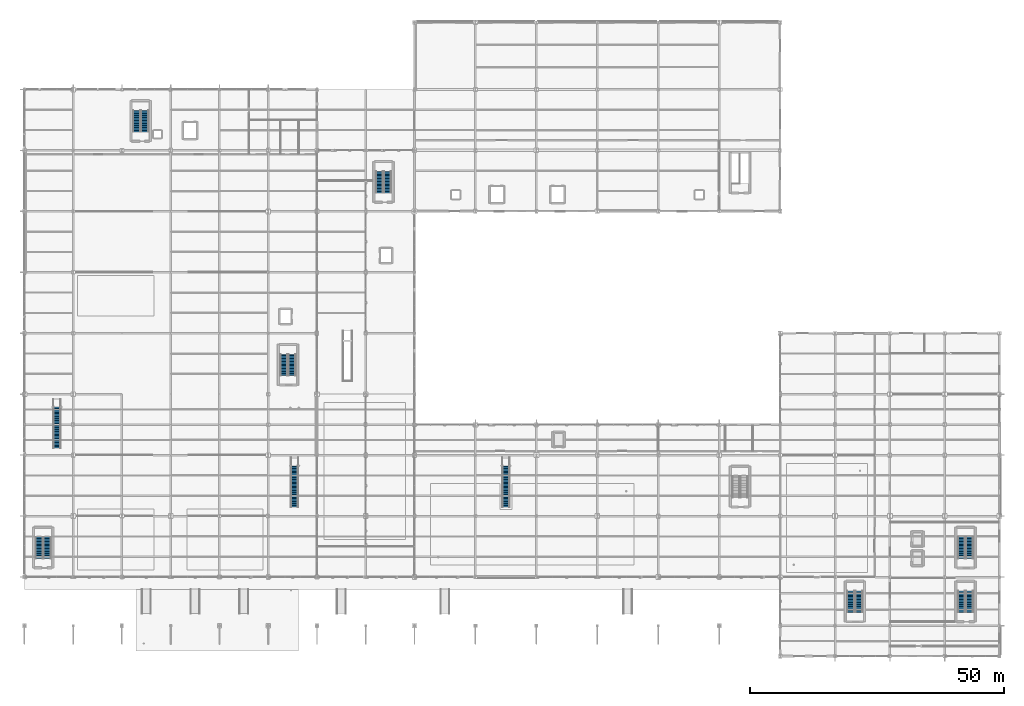
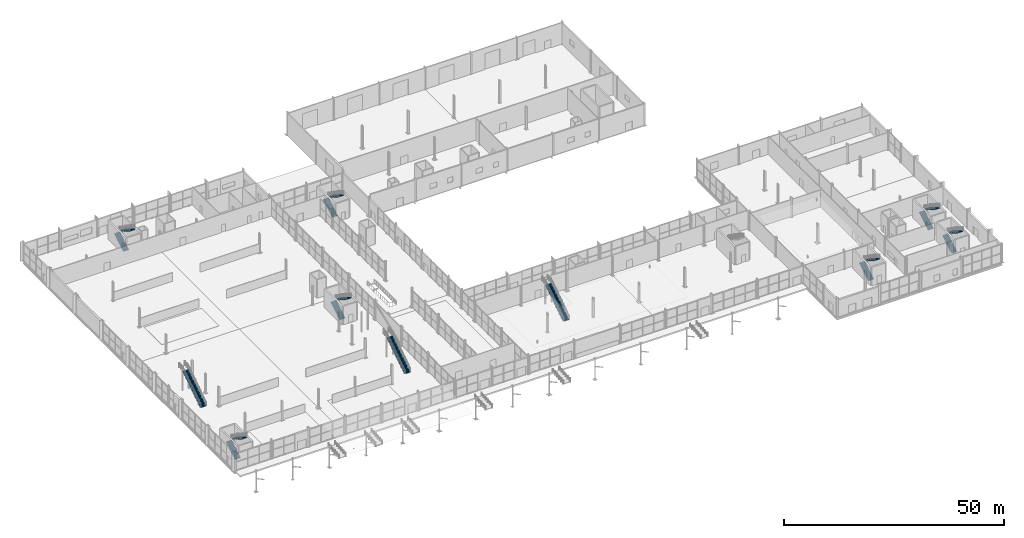
# One storey, part 178 of 196: 17 stair flights, 10 elements without a shape of their own.
"""IFC4 building model written with IfcOpenShell, lengths in metres."""

from ifc_helpers import new_model, si_unit, direction, frame, origin, place, context, subcontext, project, spatial, polyline, outline, extrude, material, type_object, element, aggregate, save


model = new_model("IFC4")

# Units and contexts
model_context = context("Model", 3, precision=1e-05, world=origin(), true_north=direction((0.0, 1.0)))
body_context = subcontext(model_context, "Body", "Model", "MODEL_VIEW")
ifc_project = project(units=[si_unit("LENGTHUNIT", "METRE"), si_unit("AREAUNIT", "SQUARE_METRE"), si_unit("VOLUMEUNIT", "CUBIC_METRE"), si_unit("PLANEANGLEUNIT", "RADIAN"), si_unit("MASSUNIT", "GRAM", prefix="KILO")], contexts=[model_context])

# Site, building, storey
site_placement = place(None, origin())
site = spatial("IfcSite", under=ifc_project, at=site_placement, CompositionType="ELEMENT")
building_placement = place(site_placement, origin())
building = spatial("IfcBuilding", under=site, at=building_placement, Name="Merenkruunu Market Hall", CompositionType="ELEMENT")
storey_placement = place(building_placement, origin())
storey = spatial("IfcBuildingStorey", under=building, at=storey_placement, Name="L00", CompositionType="ELEMENT", Elevation=0.0)

# Stair, stair flights
ifc_material_1 = material(Name="Concrete C35/45", Category="concrete")
stair_type_1 = type_object("IfcStairType", Name="Two Flight Half Turn Stair ST02", PredefinedType="TWO_STRAIGHT_RUN_STAIR", material=ifc_material_1)
stair_1_placement = place(storey_placement, origin())
stair_1 = element("IfcStair", 1, at=stair_1_placement, inside=storey, type_object=stair_type_1, Name="Protected Stair ST02 (K1 L00-L01)", PredefinedType="TWO_STRAIGHT_RUN_STAIR")
stair_flight_type_1 = type_object("IfcStairFlightType", Name="Straight Stair Flight SFL02", PredefinedType="STRAIGHT", material=ifc_material_1)
stair_flight_1_placement = place(storey_placement, frame((22.10498046875, 103.25, 0.0), z_axis=(0.0, 0.0, 1.0), x_axis=(0.0, 1.0, 0.0)))
stair_flight_1 = element("IfcStairFlight", 2, at=stair_flight_1_placement, type_object=stair_flight_type_1, Name="ST02 flight 1", NumberOfRisers=16, NumberOfTreads=15, PredefinedType="STRAIGHT", RiserHeight=0.16875, TreadLength=0.28, context=body_context, shape_type="SweptSolid", body=[
    extrude(outline(polyline([(0.0, 0.0), (0.0, 0.168701171875), (0.280029296875, 0.168701171875), (0.280029296875, 0.33740234375), (0.56005859375, 0.33740234375), (0.56005859375, 0.50634765625), (0.840087890625, 0.50634765625), (0.840087890625, 0.675048828125), (1.1201171875, 0.675048828125), (1.1201171875, 0.84375), (1.39990234375, 0.84375), (1.39990234375, 1.012451171875), (1.679931640625, 1.012451171875), (1.679931640625, 1.18115234375), (1.9599609375, 1.18115234375), (1.9599609375, 1.35009765625), (2.239990234375, 1.35009765625), (2.239990234375, 1.518798828125), (2.52001953125, 1.518798828125), (2.52001953125, 1.6875), (2.800048828125, 1.6875), (2.800048828125, 1.856201171875), (3.080078125, 1.856201171875), (3.080078125, 2.02490234375), (3.360107421875, 2.02490234375), (3.360107421875, 2.19384765625), (3.639892578125, 2.19384765625), (3.639892578125, 2.362548828125), (3.919921875, 2.362548828125), (3.919921875, 2.53125), (4.199951171875, 2.53125), (4.199951171875, 2.699951171875), (4.199951171875, 2.344482421875), (0.309814453125, 0.0), (0.0, 0.0)])), frame((0.0, 0.72509765625, 0.0), z_axis=(0.0, -1.0, 0.0), x_axis=(1.0, 0.0, 0.0)), (0.0, 0.0, 1.0), 1.449951171875),
])
stair_flight_2_placement = place(storey_placement, frame((23.695068359375, 107.449951171875, 2.699951171875), z_axis=(0.0, 0.0, 1.0), x_axis=(0.0, -1.0, 0.0)))
stair_flight_2 = element("IfcStairFlight", 3, at=stair_flight_2_placement, type_object=stair_flight_type_1, Name="ST02 flight 2", NumberOfRisers=16, NumberOfTreads=15, PredefinedType="STRAIGHT", RiserHeight=0.16875, TreadLength=0.28, context=body_context, shape_type="SweptSolid", body=[
    extrude(outline(polyline([(0.0, 0.0), (0.0, 0.168701171875), (0.280029296875, 0.168701171875), (0.280029296875, 0.33740234375), (0.56005859375, 0.33740234375), (0.56005859375, 0.50634765625), (0.840087890625, 0.50634765625), (0.840087890625, 0.675048828125), (1.1201171875, 0.675048828125), (1.1201171875, 0.84375), (1.39990234375, 0.84375), (1.39990234375, 1.012451171875), (1.679931640625, 1.012451171875), (1.679931640625, 1.18115234375), (1.9599609375, 1.18115234375), (1.9599609375, 1.35009765625), (2.239990234375, 1.35009765625), (2.239990234375, 1.518798828125), (2.52001953125, 1.518798828125), (2.52001953125, 1.6875), (2.800048828125, 1.6875), (2.800048828125, 1.856201171875), (3.080078125, 1.856201171875), (3.080078125, 2.02490234375), (3.360107421875, 2.02490234375), (3.360107421875, 2.19384765625), (3.639892578125, 2.19384765625), (3.639892578125, 2.362548828125), (3.919921875, 2.362548828125), (3.919921875, 2.53125), (4.199951171875, 2.53125), (4.199951171875, 2.699951171875), (4.199951171875, 2.344482421875), (0.309814453125, 0.0), (0.0, 0.0)])), frame((0.0, 0.72509765625, 0.0), z_axis=(0.0, -1.0, 0.0), x_axis=(1.0, 0.0, 0.0)), (0.0, 0.0, 1.0), 1.449951171875),
])
aggregate(stair_1, [stair_flight_1, stair_flight_2])

stair_type_2 = type_object("IfcStairType", Name="Two Flight Half Turn Stair ST05", PredefinedType="TWO_STRAIGHT_RUN_STAIR", material=ifc_material_1)
stair_2_placement = place(storey_placement, origin())
stair_2 = element("IfcStair", 4, at=stair_2_placement, inside=storey, type_object=stair_type_2, Name="Protected Stair ST03 (K2 L00-L01)", PredefinedType="TWO_STRAIGHT_RUN_STAIR")
stair_flight_3_placement = place(storey_placement, frame((2.905029296875, 19.25, 0.0), z_axis=(0.0, 0.0, 1.0), x_axis=(0.0, 1.0, 0.0)))
stair_flight_3 = element("IfcStairFlight", 5, at=stair_flight_3_placement, type_object=stair_flight_type_1, Name="ST03 flight 1", NumberOfRisers=16, NumberOfTreads=15, PredefinedType="STRAIGHT", RiserHeight=0.16875, TreadLength=0.28, context=body_context, shape_type="SweptSolid", body=[
    extrude(outline(polyline([(0.0, 0.0), (0.0, 0.168701171875), (0.280029296875, 0.168701171875), (0.280029296875, 0.33740234375), (0.56005859375, 0.33740234375), (0.56005859375, 0.50634765625), (0.840087890625, 0.50634765625), (0.840087890625, 0.675048828125), (1.1201171875, 0.675048828125), (1.1201171875, 0.84375), (1.39990234375, 0.84375), (1.39990234375, 1.012451171875), (1.679931640625, 1.012451171875), (1.679931640625, 1.18115234375), (1.9599609375, 1.18115234375), (1.9599609375, 1.35009765625), (2.239990234375, 1.35009765625), (2.239990234375, 1.518798828125), (2.52001953125, 1.518798828125), (2.52001953125, 1.6875), (2.800048828125, 1.6875), (2.800048828125, 1.856201171875), (3.080078125, 1.856201171875), (3.080078125, 2.02490234375), (3.360107421875, 2.02490234375), (3.360107421875, 2.19384765625), (3.639892578125, 2.19384765625), (3.639892578125, 2.362548828125), (3.919921875, 2.362548828125), (3.919921875, 2.53125), (4.199951171875, 2.53125), (4.199951171875, 2.699951171875), (4.199951171875, 2.344482421875), (0.309814453125, 0.0), (0.0, 0.0)])), frame((0.0, 0.72509765625, 0.0), z_axis=(0.0, -1.0, 0.0), x_axis=(1.0, 0.0, 0.0)), (0.0, 0.0, 1.0), 1.449951171875),
])
stair_flight_4_placement = place(storey_placement, frame((4.4951171875, 23.449951171875, 2.699951171875), z_axis=(0.0, 0.0, 1.0), x_axis=(0.0, -1.0, 0.0)))
stair_flight_4 = element("IfcStairFlight", 6, at=stair_flight_4_placement, type_object=stair_flight_type_1, Name="ST03 flight 2", NumberOfRisers=16, NumberOfTreads=15, PredefinedType="STRAIGHT", RiserHeight=0.16875, TreadLength=0.28, context=body_context, shape_type="SweptSolid", body=[
    extrude(outline(polyline([(0.0, 0.0), (0.0, 0.168701171875), (0.280029296875, 0.168701171875), (0.280029296875, 0.33740234375), (0.56005859375, 0.33740234375), (0.56005859375, 0.50634765625), (0.840087890625, 0.50634765625), (0.840087890625, 0.675048828125), (1.1201171875, 0.675048828125), (1.1201171875, 0.84375), (1.39990234375, 0.84375), (1.39990234375, 1.012451171875), (1.679931640625, 1.012451171875), (1.679931640625, 1.18115234375), (1.9599609375, 1.18115234375), (1.9599609375, 1.35009765625), (2.239990234375, 1.35009765625), (2.239990234375, 1.518798828125), (2.52001953125, 1.518798828125), (2.52001953125, 1.6875), (2.800048828125, 1.6875), (2.800048828125, 1.856201171875), (3.080078125, 1.856201171875), (3.080078125, 2.02490234375), (3.360107421875, 2.02490234375), (3.360107421875, 2.19384765625), (3.639892578125, 2.19384765625), (3.639892578125, 2.362548828125), (3.919921875, 2.362548828125), (3.919921875, 2.53125), (4.199951171875, 2.53125), (4.199951171875, 2.699951171875), (4.199951171875, 2.344482421875), (0.309814453125, 0.0), (0.0, 0.0)])), frame((0.0, 0.72509765625, 0.0), z_axis=(0.0, -1.0, 0.0), x_axis=(1.0, 0.0, 0.0)), (0.0, 0.0, 1.0), 1.449951171875),
])
aggregate(stair_2, [stair_flight_3, stair_flight_4])

stair_3_placement = place(storey_placement, origin())
stair_3 = element("IfcStair", 7, at=stair_3_placement, inside=storey, type_object=stair_type_1, Name="Protected Stair ST05 (K3 L00-L01)", PredefinedType="TWO_STRAIGHT_RUN_STAIR")
stair_flight_5_placement = place(storey_placement, frame((51.10498046875, 55.25, 0.0), z_axis=(0.0, 0.0, 1.0), x_axis=(0.0, 1.0, 0.0)))
stair_flight_5 = element("IfcStairFlight", 8, at=stair_flight_5_placement, type_object=stair_flight_type_1, Name="ST05 flight 1", NumberOfRisers=16, NumberOfTreads=15, PredefinedType="STRAIGHT", RiserHeight=0.16875, TreadLength=0.28, context=body_context, shape_type="SweptSolid", body=[
    extrude(outline(polyline([(0.0, 0.0), (0.0, 0.168701171875), (0.280029296875, 0.168701171875), (0.280029296875, 0.33740234375), (0.56005859375, 0.33740234375), (0.56005859375, 0.50634765625), (0.840087890625, 0.50634765625), (0.840087890625, 0.675048828125), (1.1201171875, 0.675048828125), (1.1201171875, 0.84375), (1.39990234375, 0.84375), (1.39990234375, 1.012451171875), (1.679931640625, 1.012451171875), (1.679931640625, 1.18115234375), (1.9599609375, 1.18115234375), (1.9599609375, 1.35009765625), (2.239990234375, 1.35009765625), (2.239990234375, 1.518798828125), (2.52001953125, 1.518798828125), (2.52001953125, 1.6875), (2.800048828125, 1.6875), (2.800048828125, 1.856201171875), (3.080078125, 1.856201171875), (3.080078125, 2.02490234375), (3.360107421875, 2.02490234375), (3.360107421875, 2.19384765625), (3.639892578125, 2.19384765625), (3.639892578125, 2.362548828125), (3.919921875, 2.362548828125), (3.919921875, 2.53125), (4.199951171875, 2.53125), (4.199951171875, 2.699951171875), (4.199951171875, 2.344482421875), (0.309814453125, 0.0), (0.0, 0.0)])), frame((0.0, 0.72509765625, 0.0), z_axis=(0.0, -1.0, 0.0), x_axis=(1.0, 0.0, 0.0)), (0.0, 0.0, 1.0), 1.449951171875),
])
stair_flight_6_placement = place(storey_placement, frame((52.695068359375, 59.449951171875, 2.699951171875), z_axis=(0.0, 0.0, 1.0), x_axis=(0.0, -1.0, 0.0)))
stair_flight_6 = element("IfcStairFlight", 9, at=stair_flight_6_placement, type_object=stair_flight_type_1, Name="ST05 flight 2", NumberOfRisers=16, NumberOfTreads=15, PredefinedType="STRAIGHT", RiserHeight=0.16875, TreadLength=0.28, context=body_context, shape_type="SweptSolid", body=[
    extrude(outline(polyline([(0.0, 0.0), (0.0, 0.168701171875), (0.280029296875, 0.168701171875), (0.280029296875, 0.33740234375), (0.56005859375, 0.33740234375), (0.56005859375, 0.50634765625), (0.840087890625, 0.50634765625), (0.840087890625, 0.675048828125), (1.1201171875, 0.675048828125), (1.1201171875, 0.84375), (1.39990234375, 0.84375), (1.39990234375, 1.012451171875), (1.679931640625, 1.012451171875), (1.679931640625, 1.18115234375), (1.9599609375, 1.18115234375), (1.9599609375, 1.35009765625), (2.239990234375, 1.35009765625), (2.239990234375, 1.518798828125), (2.52001953125, 1.518798828125), (2.52001953125, 1.6875), (2.800048828125, 1.6875), (2.800048828125, 1.856201171875), (3.080078125, 1.856201171875), (3.080078125, 2.02490234375), (3.360107421875, 2.02490234375), (3.360107421875, 2.19384765625), (3.639892578125, 2.19384765625), (3.639892578125, 2.362548828125), (3.919921875, 2.362548828125), (3.919921875, 2.53125), (4.199951171875, 2.53125), (4.199951171875, 2.699951171875), (4.199951171875, 2.344482421875), (0.309814453125, 0.0), (0.0, 0.0)])), frame((0.0, 0.72509765625, 0.0), z_axis=(0.0, -1.0, 0.0), x_axis=(1.0, 0.0, 0.0)), (0.0, 0.0, 1.0), 1.449951171875),
])
aggregate(stair_3, [stair_flight_5, stair_flight_6])

stair_4_placement = place(storey_placement, origin())
stair_4 = element("IfcStair", 10, at=stair_4_placement, inside=storey, type_object=stair_type_2, Name="Protected Stair ST08 (K4 L00-L01)", PredefinedType="TWO_STRAIGHT_RUN_STAIR")
stair_flight_7_placement = place(storey_placement, frame((69.905029296875, 91.25, 0.0), z_axis=(0.0, 0.0, 1.0), x_axis=(0.0, 1.0, 0.0)))
stair_flight_7 = element("IfcStairFlight", 11, at=stair_flight_7_placement, type_object=stair_flight_type_1, Name="ST08 flight 1", NumberOfRisers=16, NumberOfTreads=15, PredefinedType="STRAIGHT", RiserHeight=0.16875, TreadLength=0.28, context=body_context, shape_type="SweptSolid", body=[
    extrude(outline(polyline([(0.0, 0.0), (0.0, 0.168701171875), (0.280029296875, 0.168701171875), (0.280029296875, 0.33740234375), (0.56005859375, 0.33740234375), (0.56005859375, 0.50634765625), (0.840087890625, 0.50634765625), (0.840087890625, 0.675048828125), (1.1201171875, 0.675048828125), (1.1201171875, 0.84375), (1.39990234375, 0.84375), (1.39990234375, 1.012451171875), (1.679931640625, 1.012451171875), (1.679931640625, 1.18115234375), (1.9599609375, 1.18115234375), (1.9599609375, 1.35009765625), (2.239990234375, 1.35009765625), (2.239990234375, 1.518798828125), (2.52001953125, 1.518798828125), (2.52001953125, 1.6875), (2.800048828125, 1.6875), (2.800048828125, 1.856201171875), (3.080078125, 1.856201171875), (3.080078125, 2.02490234375), (3.360107421875, 2.02490234375), (3.360107421875, 2.19384765625), (3.639892578125, 2.19384765625), (3.639892578125, 2.362548828125), (3.919921875, 2.362548828125), (3.919921875, 2.53125), (4.199951171875, 2.53125), (4.199951171875, 2.699951171875), (4.199951171875, 2.344482421875), (0.309814453125, 0.0), (0.0, 0.0)])), frame((0.0, 0.72509765625, 0.0), z_axis=(0.0, -1.0, 0.0), x_axis=(1.0, 0.0, 0.0)), (0.0, 0.0, 1.0), 1.449951171875),
])
stair_flight_8_placement = place(storey_placement, frame((71.4951171875, 95.449951171875, 2.699951171875), z_axis=(0.0, 0.0, 1.0), x_axis=(0.0, -1.0, 0.0)))
stair_flight_8 = element("IfcStairFlight", 12, at=stair_flight_8_placement, type_object=stair_flight_type_1, Name="ST08 flight 2", NumberOfRisers=16, NumberOfTreads=15, PredefinedType="STRAIGHT", RiserHeight=0.16875, TreadLength=0.28, context=body_context, shape_type="SweptSolid", body=[
    extrude(outline(polyline([(0.0, 0.0), (0.0, 0.168701171875), (0.280029296875, 0.168701171875), (0.280029296875, 0.33740234375), (0.56005859375, 0.33740234375), (0.56005859375, 0.50634765625), (0.840087890625, 0.50634765625), (0.840087890625, 0.675048828125), (1.1201171875, 0.675048828125), (1.1201171875, 0.84375), (1.39990234375, 0.84375), (1.39990234375, 1.012451171875), (1.679931640625, 1.012451171875), (1.679931640625, 1.18115234375), (1.9599609375, 1.18115234375), (1.9599609375, 1.35009765625), (2.239990234375, 1.35009765625), (2.239990234375, 1.518798828125), (2.52001953125, 1.518798828125), (2.52001953125, 1.6875), (2.800048828125, 1.6875), (2.800048828125, 1.856201171875), (3.080078125, 1.856201171875), (3.080078125, 2.02490234375), (3.360107421875, 2.02490234375), (3.360107421875, 2.19384765625), (3.639892578125, 2.19384765625), (3.639892578125, 2.362548828125), (3.919921875, 2.362548828125), (3.919921875, 2.53125), (4.199951171875, 2.53125), (4.199951171875, 2.699951171875), (4.199951171875, 2.344482421875), (0.309814453125, 0.0), (0.0, 0.0)])), frame((0.0, 0.72509765625, 0.0), z_axis=(0.0, -1.0, 0.0), x_axis=(1.0, 0.0, 0.0)), (0.0, 0.0, 1.0), 1.449951171875),
])
aggregate(stair_4, [stair_flight_7, stair_flight_8])

stair_5_placement = place(storey_placement, origin())
stair_5 = element("IfcStair", 13, at=stair_5_placement, inside=storey, type_object=stair_type_1, Name="Protected Stair ST09 (K5 L00-L01)", PredefinedType="TWO_STRAIGHT_RUN_STAIR")
stair_flight_9_placement = place(storey_placement, frame((184.5048828125, 8.64990234375, 0.0), z_axis=(0.0, 0.0, 1.0), x_axis=(0.0, 1.0, 0.0)))
stair_flight_9 = element("IfcStairFlight", 14, at=stair_flight_9_placement, type_object=stair_flight_type_1, Name="ST09 flight 1", NumberOfRisers=16, NumberOfTreads=15, PredefinedType="STRAIGHT", RiserHeight=0.16875, TreadLength=0.28, context=body_context, shape_type="SweptSolid", body=[
    extrude(outline(polyline([(0.0, 0.0), (0.0, 0.168701171875), (0.280029296875, 0.168701171875), (0.280029296875, 0.33740234375), (0.56005859375, 0.33740234375), (0.56005859375, 0.50634765625), (0.840087890625, 0.50634765625), (0.840087890625, 0.675048828125), (1.1201171875, 0.675048828125), (1.1201171875, 0.84375), (1.39990234375, 0.84375), (1.39990234375, 1.012451171875), (1.679931640625, 1.012451171875), (1.679931640625, 1.18115234375), (1.9599609375, 1.18115234375), (1.9599609375, 1.35009765625), (2.239990234375, 1.35009765625), (2.239990234375, 1.518798828125), (2.52001953125, 1.518798828125), (2.52001953125, 1.6875), (2.800048828125, 1.6875), (2.800048828125, 1.856201171875), (3.080078125, 1.856201171875), (3.080078125, 2.02490234375), (3.360107421875, 2.02490234375), (3.360107421875, 2.19384765625), (3.639892578125, 2.19384765625), (3.639892578125, 2.362548828125), (3.919921875, 2.362548828125), (3.919921875, 2.53125), (4.199951171875, 2.53125), (4.199951171875, 2.699951171875), (4.199951171875, 2.344482421875), (0.309814453125, 0.0), (0.0, 0.0)])), frame((0.0, 0.72509765625, 0.0), z_axis=(0.0, -1.0, 0.0), x_axis=(1.0, 0.0, 0.0)), (0.0, 0.0, 1.0), 1.449951171875),
])
stair_flight_10_placement = place(storey_placement, frame((186.094970703125, 12.85009765625, 2.699951171875), z_axis=(0.0, 0.0, 1.0), x_axis=(0.0, -1.0, 0.0)))
stair_flight_10 = element("IfcStairFlight", 15, at=stair_flight_10_placement, type_object=stair_flight_type_1, Name="ST09 flight 2", NumberOfRisers=16, NumberOfTreads=15, PredefinedType="STRAIGHT", RiserHeight=0.16875, TreadLength=0.28, context=body_context, shape_type="SweptSolid", body=[
    extrude(outline(polyline([(0.0, 0.0), (0.0, 0.168701171875), (0.280029296875, 0.168701171875), (0.280029296875, 0.33740234375), (0.56005859375, 0.33740234375), (0.56005859375, 0.50634765625), (0.840087890625, 0.50634765625), (0.840087890625, 0.675048828125), (1.1201171875, 0.675048828125), (1.1201171875, 0.84375), (1.39990234375, 0.84375), (1.39990234375, 1.012451171875), (1.679931640625, 1.012451171875), (1.679931640625, 1.18115234375), (1.9599609375, 1.18115234375), (1.9599609375, 1.35009765625), (2.239990234375, 1.35009765625), (2.239990234375, 1.518798828125), (2.52001953125, 1.518798828125), (2.52001953125, 1.6875), (2.800048828125, 1.6875), (2.800048828125, 1.856201171875), (3.080078125, 1.856201171875), (3.080078125, 2.02490234375), (3.360107421875, 2.02490234375), (3.360107421875, 2.19384765625), (3.639892578125, 2.19384765625), (3.639892578125, 2.362548828125), (3.919921875, 2.362548828125), (3.919921875, 2.53125), (4.199951171875, 2.53125), (4.199951171875, 2.699951171875), (4.199951171875, 2.344482421875), (0.309814453125, 0.0), (0.0, 0.0)])), frame((0.0, 0.72509765625, 0.0), z_axis=(0.0, -1.0, 0.0), x_axis=(1.0, 0.0, 0.0)), (0.0, 0.0, 1.0), 1.449951171875),
])
aggregate(stair_5, [stair_flight_9, stair_flight_10])

stair_6_placement = place(storey_placement, origin())
stair_6 = element("IfcStair", 16, at=stair_6_placement, inside=storey, type_object=stair_type_2, Name="Protected Stair ST13 (K6 L00-L01)", PredefinedType="TWO_STRAIGHT_RUN_STAIR")
stair_flight_11_placement = place(storey_placement, frame((184.5048828125, 19.25, 0.0), z_axis=(0.0, 0.0, 1.0), x_axis=(0.0, 1.0, 0.0)))
stair_flight_11 = element("IfcStairFlight", 17, at=stair_flight_11_placement, type_object=stair_flight_type_1, Name="ST13 flight 1", NumberOfRisers=16, NumberOfTreads=15, PredefinedType="STRAIGHT", RiserHeight=0.16875, TreadLength=0.28, context=body_context, shape_type="SweptSolid", body=[
    extrude(outline(polyline([(0.0, 0.0), (0.0, 0.168701171875), (0.280029296875, 0.168701171875), (0.280029296875, 0.33740234375), (0.56005859375, 0.33740234375), (0.56005859375, 0.50634765625), (0.840087890625, 0.50634765625), (0.840087890625, 0.675048828125), (1.1201171875, 0.675048828125), (1.1201171875, 0.84375), (1.39990234375, 0.84375), (1.39990234375, 1.012451171875), (1.679931640625, 1.012451171875), (1.679931640625, 1.18115234375), (1.9599609375, 1.18115234375), (1.9599609375, 1.35009765625), (2.239990234375, 1.35009765625), (2.239990234375, 1.518798828125), (2.52001953125, 1.518798828125), (2.52001953125, 1.6875), (2.800048828125, 1.6875), (2.800048828125, 1.856201171875), (3.080078125, 1.856201171875), (3.080078125, 2.02490234375), (3.360107421875, 2.02490234375), (3.360107421875, 2.19384765625), (3.639892578125, 2.19384765625), (3.639892578125, 2.362548828125), (3.919921875, 2.362548828125), (3.919921875, 2.53125), (4.199951171875, 2.53125), (4.199951171875, 2.699951171875), (4.199951171875, 2.344482421875), (0.309814453125, 0.0), (0.0, 0.0)])), frame((0.0, 0.72509765625, 0.0), z_axis=(0.0, -1.0, 0.0), x_axis=(1.0, 0.0, 0.0)), (0.0, 0.0, 1.0), 1.449951171875),
])
stair_flight_12_placement = place(storey_placement, frame((186.094970703125, 23.449951171875, 2.699951171875), z_axis=(0.0, 0.0, 1.0), x_axis=(0.0, -1.0, 0.0)))
stair_flight_12 = element("IfcStairFlight", 18, at=stair_flight_12_placement, type_object=stair_flight_type_1, Name="ST13 flight 2", NumberOfRisers=16, NumberOfTreads=15, PredefinedType="STRAIGHT", RiserHeight=0.16875, TreadLength=0.28, context=body_context, shape_type="SweptSolid", body=[
    extrude(outline(polyline([(0.0, 0.0), (0.0, 0.168701171875), (0.280029296875, 0.168701171875), (0.280029296875, 0.33740234375), (0.56005859375, 0.33740234375), (0.56005859375, 0.50634765625), (0.840087890625, 0.50634765625), (0.840087890625, 0.675048828125), (1.1201171875, 0.675048828125), (1.1201171875, 0.84375), (1.39990234375, 0.84375), (1.39990234375, 1.012451171875), (1.679931640625, 1.012451171875), (1.679931640625, 1.18115234375), (1.9599609375, 1.18115234375), (1.9599609375, 1.35009765625), (2.239990234375, 1.35009765625), (2.239990234375, 1.518798828125), (2.52001953125, 1.518798828125), (2.52001953125, 1.6875), (2.800048828125, 1.6875), (2.800048828125, 1.856201171875), (3.080078125, 1.856201171875), (3.080078125, 2.02490234375), (3.360107421875, 2.02490234375), (3.360107421875, 2.19384765625), (3.639892578125, 2.19384765625), (3.639892578125, 2.362548828125), (3.919921875, 2.362548828125), (3.919921875, 2.53125), (4.199951171875, 2.53125), (4.199951171875, 2.699951171875), (4.199951171875, 2.344482421875), (0.309814453125, 0.0), (0.0, 0.0)])), frame((0.0, 0.72509765625, 0.0), z_axis=(0.0, -1.0, 0.0), x_axis=(1.0, 0.0, 0.0)), (0.0, 0.0, 1.0), 1.449951171875),
])
aggregate(stair_6, [stair_flight_11, stair_flight_12])

stair_7_placement = place(storey_placement, origin())
stair_7 = element("IfcStair", 19, at=stair_7_placement, inside=storey, type_object=stair_type_2, Name="Protected Stair ST19 (K9 L00-L01)", PredefinedType="TWO_STRAIGHT_RUN_STAIR")
stair_flight_13_placement = place(storey_placement, frame((162.705078125, 8.64990234375, 0.0), z_axis=(0.0, 0.0, 1.0), x_axis=(0.0, 1.0, 0.0)))
stair_flight_13 = element("IfcStairFlight", 20, at=stair_flight_13_placement, type_object=stair_flight_type_1, Name="ST19 flight 1", NumberOfRisers=16, NumberOfTreads=15, PredefinedType="STRAIGHT", RiserHeight=0.16875, TreadLength=0.28, context=body_context, shape_type="SweptSolid", body=[
    extrude(outline(polyline([(0.0, 0.0), (0.0, 0.168701171875), (0.280029296875, 0.168701171875), (0.280029296875, 0.33740234375), (0.56005859375, 0.33740234375), (0.56005859375, 0.50634765625), (0.840087890625, 0.50634765625), (0.840087890625, 0.675048828125), (1.1201171875, 0.675048828125), (1.1201171875, 0.84375), (1.39990234375, 0.84375), (1.39990234375, 1.012451171875), (1.679931640625, 1.012451171875), (1.679931640625, 1.18115234375), (1.9599609375, 1.18115234375), (1.9599609375, 1.35009765625), (2.239990234375, 1.35009765625), (2.239990234375, 1.518798828125), (2.52001953125, 1.518798828125), (2.52001953125, 1.6875), (2.800048828125, 1.6875), (2.800048828125, 1.856201171875), (3.080078125, 1.856201171875), (3.080078125, 2.02490234375), (3.360107421875, 2.02490234375), (3.360107421875, 2.19384765625), (3.639892578125, 2.19384765625), (3.639892578125, 2.362548828125), (3.919921875, 2.362548828125), (3.919921875, 2.53125), (4.199951171875, 2.53125), (4.199951171875, 2.699951171875), (4.199951171875, 2.344482421875), (0.309814453125, 0.0), (0.0, 0.0)])), frame((0.0, 0.72509765625, 0.0), z_axis=(0.0, -1.0, 0.0), x_axis=(1.0, 0.0, 0.0)), (0.0, 0.0, 1.0), 1.449951171875),
])
stair_flight_14_placement = place(storey_placement, frame((164.294921875, 12.85009765625, 2.699951171875), z_axis=(0.0, 0.0, 1.0), x_axis=(0.0, -1.0, 0.0)))
stair_flight_14 = element("IfcStairFlight", 21, at=stair_flight_14_placement, type_object=stair_flight_type_1, Name="ST19 flight 2", NumberOfRisers=16, NumberOfTreads=15, PredefinedType="STRAIGHT", RiserHeight=0.16875, TreadLength=0.28, context=body_context, shape_type="SweptSolid", body=[
    extrude(outline(polyline([(0.0, 0.0), (0.0, 0.168701171875), (0.280029296875, 0.168701171875), (0.280029296875, 0.33740234375), (0.56005859375, 0.33740234375), (0.56005859375, 0.50634765625), (0.840087890625, 0.50634765625), (0.840087890625, 0.675048828125), (1.1201171875, 0.675048828125), (1.1201171875, 0.84375), (1.39990234375, 0.84375), (1.39990234375, 1.012451171875), (1.679931640625, 1.012451171875), (1.679931640625, 1.18115234375), (1.9599609375, 1.18115234375), (1.9599609375, 1.35009765625), (2.239990234375, 1.35009765625), (2.239990234375, 1.518798828125), (2.52001953125, 1.518798828125), (2.52001953125, 1.6875), (2.800048828125, 1.6875), (2.800048828125, 1.856201171875), (3.080078125, 1.856201171875), (3.080078125, 2.02490234375), (3.360107421875, 2.02490234375), (3.360107421875, 2.19384765625), (3.639892578125, 2.19384765625), (3.639892578125, 2.362548828125), (3.919921875, 2.362548828125), (3.919921875, 2.53125), (4.199951171875, 2.53125), (4.199951171875, 2.699951171875), (4.199951171875, 2.344482421875), (0.309814453125, 0.0), (0.0, 0.0)])), frame((0.0, 0.72509765625, 0.0), z_axis=(0.0, -1.0, 0.0), x_axis=(1.0, 0.0, 0.0)), (0.0, 0.0, 1.0), 1.449951171875),
])
aggregate(stair_7, [stair_flight_13, stair_flight_14])

# Stair, stair flight
ifc_material_2 = material(Name="Steel S355J2", Category="steel")
stair_type_3 = type_object("IfcStairType", Name="Single Run Feature Stair FST01", PredefinedType="STRAIGHT_RUN_STAIR", material=ifc_material_2)
stair_8_placement = place(storey_placement, origin())
stair_8 = element("IfcStair", 22, at=stair_8_placement, inside=storey, type_object=stair_type_3, Name="Public Feature Stair FST02 (L00-L01)", PredefinedType="STRAIGHT_RUN_STAIR")
stair_flight_type_2 = type_object("IfcStairFlightType", Name="Straight Stair Flight SFL04", PredefinedType="STRAIGHT", material=ifc_material_2)
stair_flight_15_placement = place(storey_placement, frame((6.39990234375, 41.0, 0.0), z_axis=(0.0, 0.0, 1.0), x_axis=(0.0, 1.0, 0.0)))
stair_flight_15 = element("IfcStairFlight", 23, at=stair_flight_15_placement, type_object=stair_flight_type_2, Name="FST02 flight 1", NumberOfRisers=31, NumberOfTreads=30, PredefinedType="STRAIGHT", RiserHeight=0.174193548, TreadLength=0.27, context=body_context, shape_type="SweptSolid", body=[
    extrude(outline(polyline([(0.0, 0.0), (0.0, 0.174072265625), (0.27001953125, 0.174072265625), (0.27001953125, 0.348388671875), (0.5400390625, 0.348388671875), (0.5400390625, 0.5224609375), (0.81005859375, 0.5224609375), (0.81005859375, 0.69677734375), (1.080078125, 0.69677734375), (1.080078125, 0.870849609375), (1.35009765625, 0.870849609375), (1.35009765625, 1.045166015625), (1.6201171875, 1.045166015625), (1.6201171875, 1.21923828125), (1.889892578125, 1.21923828125), (1.889892578125, 1.3935546875), (2.159912109375, 1.3935546875), (2.159912109375, 1.567626953125), (2.429931640625, 1.567626953125), (2.429931640625, 1.741943359375), (2.699951171875, 1.741943359375), (2.699951171875, 1.916015625), (2.969970703125, 1.916015625), (2.969970703125, 2.09033203125), (3.239990234375, 2.09033203125), (3.239990234375, 2.264404296875), (3.510009765625, 2.264404296875), (3.510009765625, 2.438720703125), (3.780029296875, 2.438720703125), (3.780029296875, 2.61279296875), (4.050048828125, 2.61279296875), (4.050048828125, 2.787109375), (4.320068359375, 2.787109375), (4.320068359375, 2.961181640625), (4.590087890625, 2.961181640625), (4.590087890625, 3.135498046875), (4.860107421875, 3.135498046875), (4.860107421875, 3.3095703125), (5.1298828125, 3.3095703125), (5.1298828125, 3.48388671875), (5.39990234375, 3.48388671875), (5.39990234375, 3.657958984375), (5.669921875, 3.657958984375), (5.669921875, 3.832275390625), (5.93994140625, 3.832275390625), (5.93994140625, 4.00634765625), (6.2099609375, 4.00634765625), (6.2099609375, 4.1806640625), (6.47998046875, 4.1806640625), (6.47998046875, 4.354736328125), (6.75, 4.354736328125), (6.75, 4.529052734375), (7.02001953125, 4.529052734375), (7.02001953125, 4.703125), (7.2900390625, 4.703125), (7.2900390625, 4.87744140625), (7.56005859375, 4.87744140625), (7.56005859375, 5.051513671875), (7.830078125, 5.051513671875), (7.830078125, 5.225830078125), (8.10009765625, 5.225830078125), (8.10009765625, 5.39990234375), (8.10009765625, 5.035400390625), (0.294921875, 0.0), (0.0, 0.0)])), frame((0.0, 0.75, 0.0), z_axis=(0.0, -1.0, 0.0), x_axis=(1.0, 0.0, 0.0)), (0.0, 0.0, 1.0), 1.5),
])
aggregate(stair_8, [stair_flight_15])

stair_9_placement = place(storey_placement, origin())
stair_9 = element("IfcStair", 24, at=stair_9_placement, inside=storey, type_object=stair_type_3, Name="Public Feature Stair FST03 (L00-L01)", PredefinedType="STRAIGHT_RUN_STAIR")
stair_flight_16_placement = place(storey_placement, frame((53.199951171875, 29.39990234375, 0.0), z_axis=(0.0, 0.0, 1.0), x_axis=(0.0, 1.0, 0.0)))
stair_flight_16 = element("IfcStairFlight", 25, at=stair_flight_16_placement, type_object=stair_flight_type_2, Name="FST03 flight 1", NumberOfRisers=31, NumberOfTreads=30, PredefinedType="STRAIGHT", RiserHeight=0.174193548, TreadLength=0.27, context=body_context, shape_type="SweptSolid", body=[
    extrude(outline(polyline([(0.0, 0.0), (0.0, 0.174072265625), (0.27001953125, 0.174072265625), (0.27001953125, 0.348388671875), (0.5400390625, 0.348388671875), (0.5400390625, 0.5224609375), (0.81005859375, 0.5224609375), (0.81005859375, 0.69677734375), (1.080078125, 0.69677734375), (1.080078125, 0.870849609375), (1.35009765625, 0.870849609375), (1.35009765625, 1.045166015625), (1.6201171875, 1.045166015625), (1.6201171875, 1.21923828125), (1.889892578125, 1.21923828125), (1.889892578125, 1.3935546875), (2.159912109375, 1.3935546875), (2.159912109375, 1.567626953125), (2.429931640625, 1.567626953125), (2.429931640625, 1.741943359375), (2.699951171875, 1.741943359375), (2.699951171875, 1.916015625), (2.969970703125, 1.916015625), (2.969970703125, 2.09033203125), (3.239990234375, 2.09033203125), (3.239990234375, 2.264404296875), (3.510009765625, 2.264404296875), (3.510009765625, 2.438720703125), (3.780029296875, 2.438720703125), (3.780029296875, 2.61279296875), (4.050048828125, 2.61279296875), (4.050048828125, 2.787109375), (4.320068359375, 2.787109375), (4.320068359375, 2.961181640625), (4.590087890625, 2.961181640625), (4.590087890625, 3.135498046875), (4.860107421875, 3.135498046875), (4.860107421875, 3.3095703125), (5.1298828125, 3.3095703125), (5.1298828125, 3.48388671875), (5.39990234375, 3.48388671875), (5.39990234375, 3.657958984375), (5.669921875, 3.657958984375), (5.669921875, 3.832275390625), (5.93994140625, 3.832275390625), (5.93994140625, 4.00634765625), (6.2099609375, 4.00634765625), (6.2099609375, 4.1806640625), (6.47998046875, 4.1806640625), (6.47998046875, 4.354736328125), (6.75, 4.354736328125), (6.75, 4.529052734375), (7.02001953125, 4.529052734375), (7.02001953125, 4.703125), (7.2900390625, 4.703125), (7.2900390625, 4.87744140625), (7.56005859375, 4.87744140625), (7.56005859375, 5.051513671875), (7.830078125, 5.051513671875), (7.830078125, 5.225830078125), (8.10009765625, 5.225830078125), (8.10009765625, 5.39990234375), (8.10009765625, 5.035400390625), (0.294921875, 0.0), (0.0, 0.0)])), frame((0.0, 0.75, 0.0), z_axis=(0.0, -1.0, 0.0), x_axis=(1.0, 0.0, 0.0)), (0.0, 0.0, 1.0), 1.5),
])
aggregate(stair_9, [stair_flight_16])

stair_10_placement = place(storey_placement, origin())
stair_10 = element("IfcStair", 26, at=stair_10_placement, inside=storey, type_object=stair_type_3, Name="Public Feature Stair FST04 (L00-L01)", PredefinedType="STRAIGHT_RUN_STAIR")
stair_flight_17_placement = place(storey_placement, frame((94.800048828125, 29.39990234375, 0.0), z_axis=(0.0, 0.0, 1.0), x_axis=(0.0, 1.0, 0.0)))
stair_flight_17 = element("IfcStairFlight", 27, at=stair_flight_17_placement, type_object=stair_flight_type_2, Name="FST04 flight 1", NumberOfRisers=31, NumberOfTreads=30, PredefinedType="STRAIGHT", RiserHeight=0.174193548, TreadLength=0.27, context=body_context, shape_type="SweptSolid", body=[
    extrude(outline(polyline([(0.0, 0.0), (0.0, 0.174072265625), (0.27001953125, 0.174072265625), (0.27001953125, 0.348388671875), (0.5400390625, 0.348388671875), (0.5400390625, 0.5224609375), (0.81005859375, 0.5224609375), (0.81005859375, 0.69677734375), (1.080078125, 0.69677734375), (1.080078125, 0.870849609375), (1.35009765625, 0.870849609375), (1.35009765625, 1.045166015625), (1.6201171875, 1.045166015625), (1.6201171875, 1.21923828125), (1.889892578125, 1.21923828125), (1.889892578125, 1.3935546875), (2.159912109375, 1.3935546875), (2.159912109375, 1.567626953125), (2.429931640625, 1.567626953125), (2.429931640625, 1.741943359375), (2.699951171875, 1.741943359375), (2.699951171875, 1.916015625), (2.969970703125, 1.916015625), (2.969970703125, 2.09033203125), (3.239990234375, 2.09033203125), (3.239990234375, 2.264404296875), (3.510009765625, 2.264404296875), (3.510009765625, 2.438720703125), (3.780029296875, 2.438720703125), (3.780029296875, 2.61279296875), (4.050048828125, 2.61279296875), (4.050048828125, 2.787109375), (4.320068359375, 2.787109375), (4.320068359375, 2.961181640625), (4.590087890625, 2.961181640625), (4.590087890625, 3.135498046875), (4.860107421875, 3.135498046875), (4.860107421875, 3.3095703125), (5.1298828125, 3.3095703125), (5.1298828125, 3.48388671875), (5.39990234375, 3.48388671875), (5.39990234375, 3.657958984375), (5.669921875, 3.657958984375), (5.669921875, 3.832275390625), (5.93994140625, 3.832275390625), (5.93994140625, 4.00634765625), (6.2099609375, 4.00634765625), (6.2099609375, 4.1806640625), (6.47998046875, 4.1806640625), (6.47998046875, 4.354736328125), (6.75, 4.354736328125), (6.75, 4.529052734375), (7.02001953125, 4.529052734375), (7.02001953125, 4.703125), (7.2900390625, 4.703125), (7.2900390625, 4.87744140625), (7.56005859375, 4.87744140625), (7.56005859375, 5.051513671875), (7.830078125, 5.051513671875), (7.830078125, 5.225830078125), (8.10009765625, 5.225830078125), (8.10009765625, 5.39990234375), (8.10009765625, 5.035400390625), (0.294921875, 0.0), (0.0, 0.0)])), frame((0.0, 0.75, 0.0), z_axis=(0.0, -1.0, 0.0), x_axis=(1.0, 0.0, 0.0)), (0.0, 0.0, 1.0), 1.5),
])
aggregate(stair_10, [stair_flight_17])

save(model, "model.ifc")
